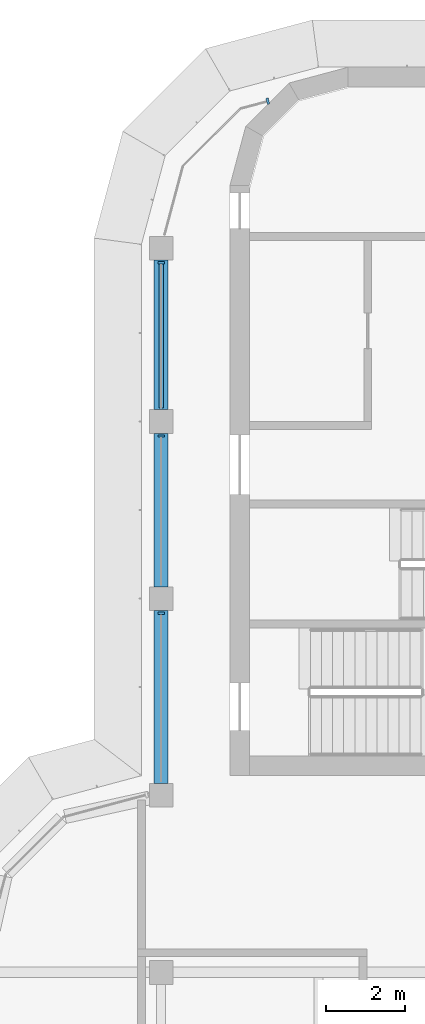
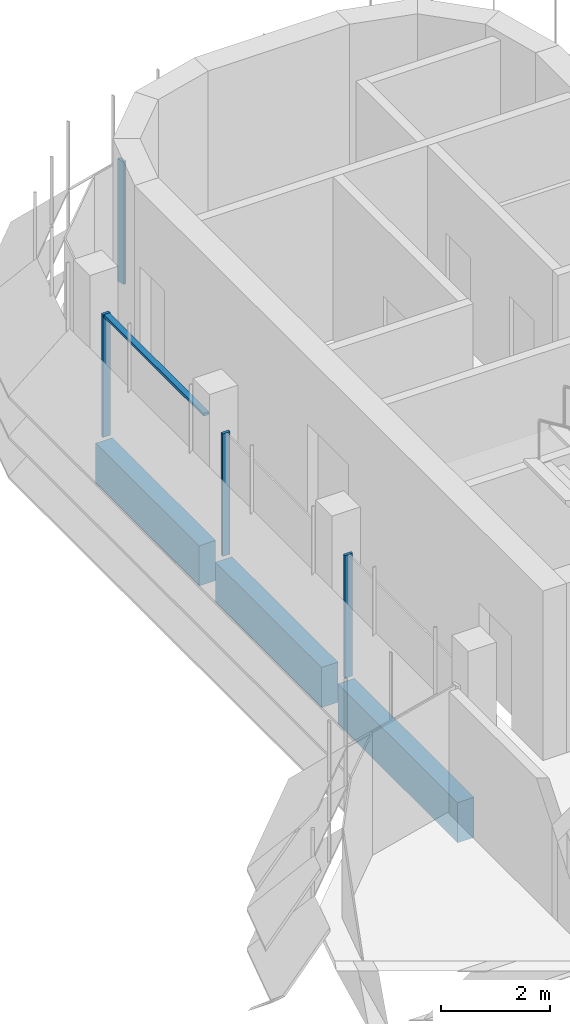
# One storey, part 7 of 19: 5 members, 3 beams, 2 elements without a shape of their own.
"""IFC4 building model written with IfcOpenShell, lengths in metres."""

from ifc_helpers import new_model, si_unit, direction, frame, origin, origin_2d, place, context, subcontext, project, spatial, polyline, rectangle, outline, extrude, source, transform, mapped, material, material_profile, profile_set, type_object, element, aggregate, save


model = new_model("IFC4")

# Units and contexts
model_context = context("Model", 3, precision=1e-05, world=origin(), true_north=direction((0.0, 1.0)))
body_context = subcontext(model_context, "Body", "Model", "MODEL_VIEW")
ifc_project = project(units=[si_unit("LENGTHUNIT", "METRE"), si_unit("AREAUNIT", "SQUARE_METRE"), si_unit("VOLUMEUNIT", "CUBIC_METRE"), si_unit("PLANEANGLEUNIT", "RADIAN"), si_unit("MASSUNIT", "GRAM", prefix="KILO")], contexts=[model_context])

# Site, building, storey
site_placement = place(None, origin())
site = spatial("IfcSite", under=ifc_project, at=site_placement, CompositionType="ELEMENT")
building_placement = place(site_placement, origin())
building = spatial("IfcBuilding", under=site, at=building_placement, Name="Zarbagh Exchange Tower", CompositionType="ELEMENT")
storey_placement = place(building_placement, frame((0.0, 0.0, 276.39990234375)))
storey = spatial("IfcBuildingStorey", under=building, at=storey_placement, Name="L68", CompositionType="ELEMENT", Elevation=276.39990234375)

# Beams
ifc_material_1 = material(Name="Concrete C40/50", Category="concrete")
ifc_material_profile = material_profile(ifc_material_1, rectangle(XDim=0.35009765625, YDim=0.89990234375, at=origin_2d()), Name="RC spandrel beam 350 x 900 C40/50")
ifc_profile_set = profile_set([ifc_material_profile], Name="Concrete C40/50")
beam_type = type_object("IfcBeamType", Name="RC spandrel beam 350 x 900 C40/50", PredefinedType="SPANDREL", material=ifc_profile_set)
beam_1_placement = place(storey_placement, frame((-6.25, 11.050048828125, -0.599853515625), z_axis=(0.0, 1.0, 0.0), x_axis=(-1.0, 0.0, 0.0)))
element("IfcBeam", 1, at=beam_1_placement, inside=storey, type_object=beam_type, Name="RC spandrel beam", PredefinedType="SPANDREL", context=body_context, shape_type="SweptSolid", body=[
    extrude(rectangle(XDim=0.35009765625, YDim=0.89990234375, at=origin_2d()), origin(), (0.0, 0.0, 1.0), 4.39990234375),
])
beam_2_placement = place(storey_placement, frame((-6.25, 16.050048828125, -0.599853515625), z_axis=(0.0, 1.0, 0.0), x_axis=(-1.0, 0.0, 0.0)))
element("IfcBeam", 2, at=beam_2_placement, inside=storey, type_object=beam_type, Name="RC spandrel beam", PredefinedType="SPANDREL", context=body_context, shape_type="SweptSolid", body=[
    extrude(rectangle(XDim=0.35009765625, YDim=0.89990234375, at=origin_2d()), origin(), (0.0, 0.0, 1.0), 3.89990234375),
])
beam_3_placement = place(storey_placement, frame((-6.25, 20.550048828125, -0.599853515625), z_axis=(0.0, 1.0, 0.0), x_axis=(-1.0, 0.0, 0.0)))
element("IfcBeam", 3, at=beam_3_placement, inside=storey, type_object=beam_type, Name="RC spandrel beam", PredefinedType="SPANDREL", context=body_context, shape_type="SweptSolid", body=[
    extrude(rectangle(XDim=0.35009765625, YDim=0.89990234375, at=origin_2d()), origin(), (0.0, 0.0, 1.0), 3.800048828125),
])

# Curtain wall, member
ifc_material_2 = material(Name="Anodised aluminium frame and glazing", Category="aluminium")
curtain_wall_type = type_object("IfcCurtainWallType", Name="CWB Ribbon glazing, upper zones", PredefinedType="NOTDEFINED", material=ifc_material_2)
curtain_wall_1_placement = place(storey_placement, origin())
curtain_wall_1 = element("IfcCurtainWall", 4, at=curtain_wall_1_placement, inside=storey, type_object=curtain_wall_type, Name="CWB70 curtain wall", PredefinedType="NOTDEFINED")
ifc_material_3 = material(Name="Anodised aluminium frame", Category="aluminium")
member_type_1 = type_object("IfcMemberType", Name="MUB Mullion, anodised aluminium frame", PredefinedType="MULLION", material=ifc_material_3)
shared_shape_1 = source(origin(), body_context, "Body", "SweptSolid", [
    extrude(outline(polyline([(0.0, -0.080078125), (0.06005859375, -0.080078125), (0.06005859375, 0.080078125), (0.0, 0.080078125), (0.0, -0.080078125)])), origin(), (0.0, 0.0, 1.0), 2.75),
])
placement = place(storey_placement, origin())
member_1 = element("IfcMember", 5, at=placement, type_object=member_type_1, Name="CWB70 mullion 1.1", PredefinedType="MULLION", context=body_context, shape_type="MappedRepresentation", body=[
    mapped(shared_shape_1, transform((-3.510009765625, 28.394775390625, 0.0), x_axis=(-0.965924289636, -0.258824779902, 0.0), y_axis=(0.258824779902, -0.965924289636, 0.0), z_axis=(0.0, 0.0, 1.0))),
])
aggregate(curtain_wall_1, [member_1])

# Curtain wall, members
curtain_wall_2_placement = place(storey_placement, origin())
curtain_wall_2 = element("IfcCurtainWall", 6, at=curtain_wall_2_placement, inside=storey, type_object=curtain_wall_type, Name="CWB73 curtain wall", PredefinedType="NOTDEFINED")
member_2 = element("IfcMember", 7, at=placement, type_object=member_type_1, Name="CWB73 mullion 1.1", PredefinedType="MULLION", context=body_context, shape_type="MappedRepresentation", body=[
    mapped(shared_shape_1, transform((-6.25, 24.31005859375, 0.0), x_axis=(0.0, -1.0, 0.0), y_axis=(1.0, 0.0, 0.0), z_axis=(0.0, 0.0, 1.0))),
])
member_3 = element("IfcMember", 8, at=placement, type_object=member_type_1, Name="CWB73 mullion 2.1", PredefinedType="MULLION", context=body_context, shape_type="MappedRepresentation", body=[
    mapped(shared_shape_1, transform((-6.25, 19.909912109375, 0.0), x_axis=(0.0, -1.0, 0.0), y_axis=(1.0, 0.0, 0.0), z_axis=(0.0, 0.0, 1.0))),
])
member_4 = element("IfcMember", 9, at=placement, type_object=member_type_1, Name="CWB73 mullion 3.1", PredefinedType="MULLION", context=body_context, shape_type="MappedRepresentation", body=[
    mapped(shared_shape_1, transform((-6.25, 15.409912109375, 0.0), x_axis=(0.0, -1.0, 0.0), y_axis=(1.0, 0.0, 0.0), z_axis=(0.0, 0.0, 1.0))),
])
member_type_2 = type_object("IfcMemberType", Name="TRB Transom, anodised aluminium frame", PredefinedType="USERDEFINED", material=ifc_material_3)
shared_shape_2 = source(origin(), body_context, "Body", "SweptSolid", [
    extrude(outline(polyline([(-0.06005859375, -0.06005859375), (0.0, -0.06005859375), (0.0, 0.06005859375), (-0.06005859375, 0.06005859375), (-0.06005859375, -0.06005859375)])), origin(), (0.0, 0.0, 1.0), 3.659912109375),
])
member_5 = element("IfcMember", 10, at=placement, type_object=member_type_2, Name="CWB73 transom 1.1", ObjectType="TRANSOM", PredefinedType="USERDEFINED", context=body_context, shape_type="MappedRepresentation", body=[
    mapped(shared_shape_2, transform((-6.25, 24.25, 2.75), x_axis=(0.0, 0.0, 1.0), y_axis=(-1.0, 0.0, 0.0), z_axis=(0.0, -1.0, 0.0))),
])
aggregate(curtain_wall_2, [member_2, member_5, member_3, member_4])

save(model, "model.ifc")
